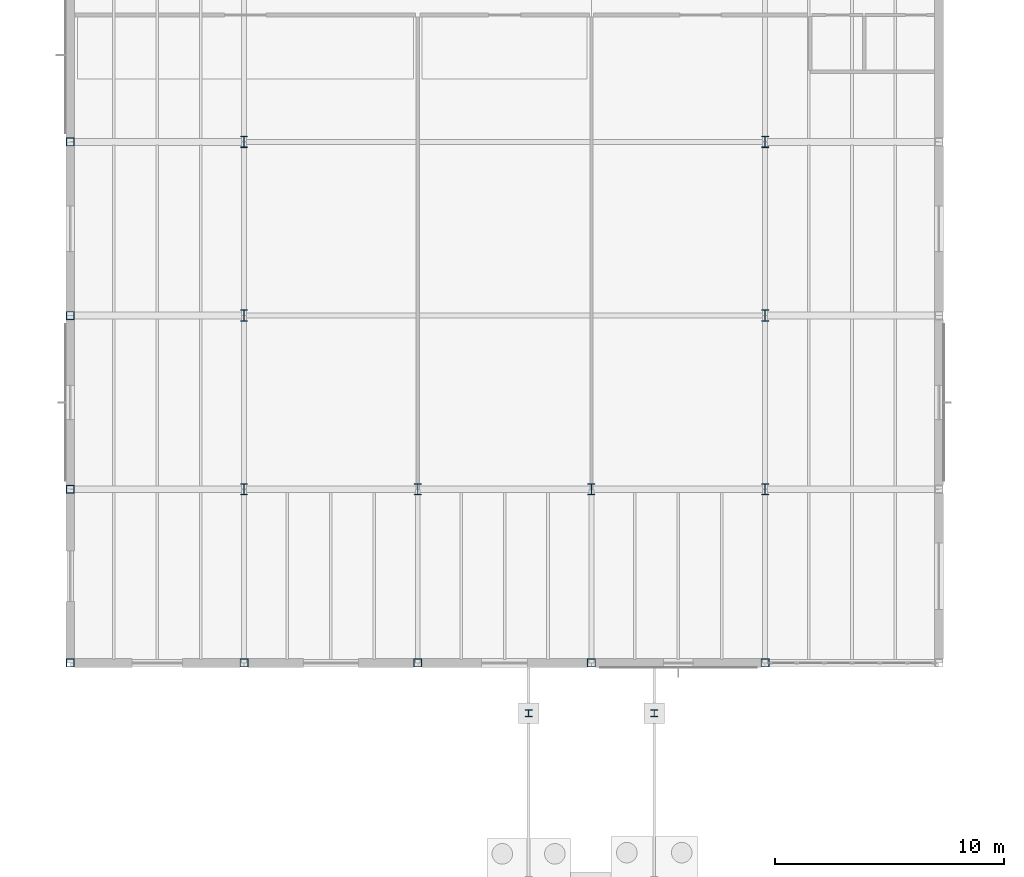
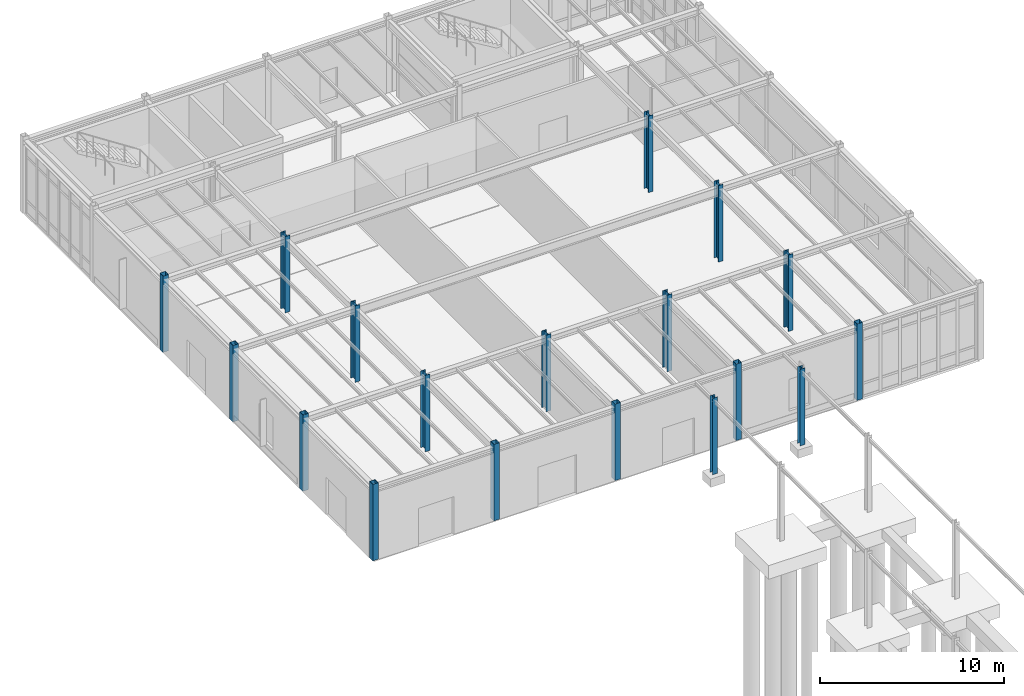
# One storey, part 13 of 109: 18 columns.
"""IFC4 building model written with IfcOpenShell, lengths in metres."""

import ifcopenshell
import ifcopenshell.guid

model = None  # the IFC model being written
_history = None  # IfcOwnerHistory: only IFC2X3 demands one
_inside = {}  # id of a spatial element -> (the spatial element, [elements in it])
_under = {}  # id of a project, library or spatial element -> (it, [spatial elements below it])
_declared = {}  # id of a project -> (the project, [libraries it declares])
_typed = {}  # id of a type object -> (the type object, [elements of that type])
_made_of = {}  # id of a material, layer set ... -> (it, [elements and type objects made of it])


def new_model(schema):
    """Start an empty IFC model of exactly this schema.

    Asked for "IFC4X3", IfcOpenShell would pick the latest addendum, in which some entities
    have other attributes; the version numbers below select the first issue.
    IFC2X3 requires an IfcOwnerHistory on every rooted entity: one is made here for all.
    """
    global model, _history
    if schema == "IFC4X3":
        model = ifcopenshell.file(schema_version=(4, 3, 0, 0))
    else:
        model = ifcopenshell.file(schema=schema)
    _inside.clear()
    _under.clear()
    _declared.clear()
    _typed.clear()
    _made_of.clear()
    _history = None
    if model.schema == "IFC2X3":
        org = make("IfcOrganization", Name="unknown")
        user = make(
            "IfcPersonAndOrganization",
            ThePerson=make("IfcPerson", FamilyName="unknown"),
            TheOrganization=org,
        )
        app = make(
            "IfcApplication",
            ApplicationDeveloper=org,
            Version="unknown",
            ApplicationFullName="unknown",
            ApplicationIdentifier="unknown",
        )
        _history = make(
            "IfcOwnerHistory",
            OwningUser=user,
            OwningApplication=app,
            ChangeAction="ADDED",
            CreationDate=0,
        )
    return model


def make(cls, **values):
    """One entity of the class cls with the attributes given. An attribute that is None is left unset."""
    return model.create_entity(
        cls, **{name: value for name, value in values.items() if value is not None}
    )


def rooted(cls, **values):
    """An entity with a GlobalId (a new one), such as an element, a storey or a relation."""
    return make(cls, GlobalId=ifcopenshell.guid.new(), OwnerHistory=_history, **values)


def si_unit(unit_type, name, prefix=None):
    """IfcSIUnit, for example si_unit("LENGTHUNIT", "METRE", prefix="MILLI")."""
    return make("IfcSIUnit", UnitType=unit_type, Prefix=prefix, Name=name)


def assignment(units):
    """IfcUnitAssignment: the units of a project."""
    return None if units is None else make("IfcUnitAssignment", Units=units)


def point(xyz):
    """IfcCartesianPoint."""
    return None if xyz is None else make("IfcCartesianPoint", Coordinates=xyz)


def direction(xyz):
    """IfcDirection."""
    return None if xyz is None else make("IfcDirection", DirectionRatios=xyz)


def frame(location, z_axis=None, x_axis=None):
    """IfcAxis2Placement3D, a coordinate frame: its origin and axes. An axis left out is left unset."""
    return make(
        "IfcAxis2Placement3D",
        Location=point(location),
        Axis=direction(z_axis),
        RefDirection=direction(x_axis),
    )


def frame_2d(location, x_axis=None):
    """IfcAxis2Placement2D, a coordinate frame in the plane: its origin and x axis."""
    return make(
        "IfcAxis2Placement2D", Location=point(location), RefDirection=direction(x_axis)
    )


def origin():
    """The frame at (0, 0, 0) with its axes left unset."""
    return frame((0.0, 0.0, 0.0))


def origin_2d():
    """The frame at (0, 0) in the plane with its x axis left unset."""
    return frame_2d((0.0, 0.0))


def place(relative_to, where):
    """IfcLocalPlacement: puts the frame where relative to a parent placement (None: the world)."""
    return make(
        "IfcLocalPlacement", PlacementRelTo=relative_to, RelativePlacement=where
    )


def context(
    kind, dimensions, precision=None, world=None, true_north=None, identifier=None
):
    """IfcGeometricRepresentationContext, for example the 3D "Model" context."""
    return make(
        "IfcGeometricRepresentationContext",
        ContextIdentifier=identifier,
        ContextType=kind,
        CoordinateSpaceDimension=dimensions,
        Precision=precision,
        WorldCoordinateSystem=world,
        TrueNorth=true_north,
    )


def subcontext(parent, identifier, kind, view, scale=None):
    """IfcGeometricRepresentationSubContext, for example "Body" below "Model"."""
    return make(
        "IfcGeometricRepresentationSubContext",
        ContextIdentifier=identifier,
        ContextType=kind,
        ParentContext=parent,
        TargetScale=scale,
        TargetView=view,
    )


def project(units=None, contexts=None):
    """IfcProject with its units and contexts."""
    return rooted(
        "IfcProject",
        Name="project",
        RepresentationContexts=contexts,
        UnitsInContext=assignment(units),
    )


def spatial(cls, under=None, at=None, **own):
    """A site, building, storey or space (cls), placed at a placement, below another one or the project."""
    s = rooted(cls, ObjectPlacement=at, **own)
    if under is not None:
        _under.setdefault(under.id(), (under, []))[1].append(s)
    return s


def profile(cls, at=None, kind="AREA", **sizes):
    """A parametric profile (cls). Its sizes go by their IFC names, for example OverallWidth=200.0."""
    return make(cls, ProfileType=kind, Position=at, **sizes)


def hollow_rectangle(**sizes):
    """IfcRectangleHollowProfileDef."""
    return profile("IfcRectangleHollowProfileDef", **sizes)


def i_section(**sizes):
    """IfcIShapeProfileDef."""
    return profile("IfcIShapeProfileDef", **sizes)


def extrude(swept, where, along, depth):
    """IfcExtrudedAreaSolid: the profile swept, set in the frame where, extruded along a direction by depth."""
    return make(
        "IfcExtrudedAreaSolid",
        SweptArea=swept,
        Position=where,
        ExtrudedDirection=direction(along),
        Depth=depth,
    )


def shape(context_of_items, identifier, shape_type, items):
    """IfcShapeRepresentation: the items that make up one representation, for example the "Body"."""
    return make(
        "IfcShapeRepresentation",
        ContextOfItems=context_of_items,
        RepresentationIdentifier=identifier,
        RepresentationType=shape_type,
        Items=items,
    )


def material(Name=None, Category=None):
    """IfcMaterial."""
    return make("IfcMaterial", Name=Name, Category=Category)


def material_profile(
    of_material, cross_section, Name=None, Category=None, Priority=None
):
    """IfcMaterialProfile: a cross section and its material."""
    return make(
        "IfcMaterialProfile",
        Name=Name,
        Material=of_material,
        Profile=cross_section,
        Priority=Priority,
        Category=Category,
    )


def profile_set(profiles, Name=None, composite=None):
    """IfcMaterialProfileSet."""
    return make(
        "IfcMaterialProfileSet",
        Name=Name,
        MaterialProfiles=profiles,
        CompositeProfile=composite,
    )


def made_of(thing, what):
    """Note that an element or type object is made of a material, layer set ...; save() writes the relation."""
    if what is not None:
        _made_of.setdefault(what.id(), (what, []))[1].append(thing)
    return thing


def type_object(cls, material=None, **own):
    """A type object (cls), such as IfcWallType, which elements share."""
    return made_of(rooted(cls, **own), material)


def element(
    cls,
    number,
    at=None,
    inside=None,
    cuts=None,
    type_object=None,
    material=None,
    context=None,
    identifier="Body",
    shape_type=None,
    held_by="IfcProductDefinitionShape",
    body=None,
    shapes=None,
    **own,
):
    """One element of the class cls, such as IfcWall. Its Tag is "e" and its number.

    at: its placement. inside: the storey or other place that contains it. cuts: it is an
    opening in that element (IfcRelVoidsElement). A single representation is given by context,
    identifier, shape_type and body (its items); several are given by shapes. held_by: the class
    of the entity that holds the representations. save() writes the other relations.
    """
    e = rooted(cls, Tag="e%d" % number, ObjectPlacement=at, **own)
    if body is not None:
        shapes = [shape(context, identifier, shape_type, body)]
    if shapes is not None:
        e.Representation = make(held_by, Representations=shapes)
    if inside is not None:
        _inside.setdefault(inside.id(), (inside, []))[1].append(e)
    if cuts is not None:
        rooted(
            "IfcRelVoidsElement", RelatingBuildingElement=cuts, RelatedOpeningElement=e
        )
    if type_object is not None:
        _typed.setdefault(type_object.id(), (type_object, []))[1].append(e)
    return made_of(e, material)


def aggregate(whole, parts):
    """IfcRelAggregates: a whole, such as a stair, and the parts it consists of."""
    return rooted("IfcRelAggregates", RelatingObject=whole, RelatedObjects=parts)


def save(model, path):
    """Write the relations noted so far, then the file.

    IfcRelAggregates (storeys below a building ...), IfcRelContainedInSpatialStructure (elements
    in a storey), IfcRelDefinesByType, IfcRelAssociatesMaterial and IfcRelDeclares: one each for
    every whole, place, type object, material and project.
    """
    for whole, parts in _under.values():
        aggregate(whole, parts)
    for where, things in _inside.values():
        rooted(
            "IfcRelContainedInSpatialStructure",
            RelatedElements=things,
            RelatingStructure=where,
        )
    for kind, things in _typed.values():
        rooted("IfcRelDefinesByType", RelatedObjects=things, RelatingType=kind)
    for what, things in _made_of.values():
        rooted("IfcRelAssociatesMaterial", RelatedObjects=things, RelatingMaterial=what)
    for by, libraries in _declared.values():
        rooted("IfcRelDeclares", RelatingContext=by, RelatedDefinitions=libraries)
    model.write(path)


model = new_model("IFC4")

# Units and contexts
model_context = context("Model", 3, precision=1e-05, world=origin(), true_north=direction((0.0, 1.0)))
body_context = subcontext(model_context, "Body", "Model", "MODEL_VIEW")
ifc_project = project(units=[si_unit("LENGTHUNIT", "METRE"), si_unit("AREAUNIT", "SQUARE_METRE"), si_unit("VOLUMEUNIT", "CUBIC_METRE"), si_unit("PLANEANGLEUNIT", "RADIAN"), si_unit("MASSUNIT", "GRAM", prefix="KILO")], contexts=[model_context])

# Site, building, storey
site_placement = place(None, origin())
site = spatial("IfcSite", under=ifc_project, at=site_placement, CompositionType="ELEMENT")
building_placement = place(site_placement, origin())
building = spatial("IfcBuilding", under=site, at=building_placement, Name="Montecoro Central Library", CompositionType="ELEMENT")
storey_placement = place(building_placement, origin())
storey = spatial("IfcBuildingStorey", under=building, at=storey_placement, Name="L00", CompositionType="ELEMENT", Elevation=0.0)

# Columns
ifc_material_1 = material(Name="Steel S355", Category="steel")
ifc_material_profile_1 = material_profile(ifc_material_1, i_section(OverallWidth=0.300048828125, OverallDepth=0.300048828125, WebThickness=0.010986328125, FlangeThickness=0.01904296875, at=origin_2d()), Name="HEB 300")
ifc_profile_set_1 = profile_set([ifc_material_profile_1], Name="Steel S355")
column_type_1 = type_object("IfcColumnType", Name="COL-HEB300", PredefinedType="COLUMN", material=ifc_profile_set_1)
for number, where, z_axis, x_axis, name in (
    (1, (25.050048828125, 71.199951171875, 0.0), (0.0, 0.0, 1.0), (1.0, 0.0, 0.0), "BR-W-L00-COL-250-712"),
    (2, (30.550048828125, 71.199951171875, 0.0), (0.0, 0.0, 1.0), (1.0, 0.0, 0.0), "BR-W-L00-COL-305-712"),
):
    element("IfcColumn", number, at=place(storey_placement, frame(where, z_axis=z_axis, x_axis=x_axis)), inside=storey, type_object=column_type_1, Name=name, PredefinedType="COLUMN", context=body_context, shape_type="SweptSolid", body=[
        extrude(i_section(OverallWidth=0.300048828125, OverallDepth=0.300048828125, WebThickness=0.010986328125, FlangeThickness=0.01904296875, at=origin_2d()), origin(), (0.0, 0.0, 1.0), 5.074951171875),
    ])
ifc_material_2 = material(Name="Steel S355J2", Category="steel")
ifc_material_profile_2 = material_profile(ifc_material_2, i_section(OverallWidth=0.300048828125, OverallDepth=0.5, WebThickness=0.014404296875, FlangeThickness=0.028076171875, at=origin_2d()), Name="HEB 500")
ifc_profile_set_2 = profile_set([ifc_material_profile_2], Name="Steel S355J2")
column_type_2 = type_object("IfcColumnType", Name="COL-HEB500", PredefinedType="COLUMN", material=ifc_profile_set_2)
for number, where, z_axis, x_axis, name in (
    (3, (12.60009765625, 81.0, 0.0), (0.0, 0.0, 1.0), (1.0, 0.0, 0.0), "V4-L00-COL-2-L"),
    (4, (12.60009765625, 88.60009765625, 0.0), (0.0, 0.0, 1.0), (1.0, 0.0, 0.0), "V4-L00-COL-2-M"),
    (5, (12.60009765625, 96.199951171875, 0.0), (0.0, 0.0, 1.0), (1.0, 0.0, 0.0), "V4-L00-COL-2-N"),
    (6, (20.199951171875, 81.0, 0.0), (0.0, 0.0, 1.0), (1.0, 0.0, 0.0), "V4-L00-COL-3-L"),
    (7, (27.800048828125, 81.0, 0.0), (0.0, 0.0, 1.0), (1.0, 0.0, 0.0), "V4-L00-COL-4-L"),
    (8, (35.39990234375, 81.0, 0.0), (0.0, 0.0, 1.0), (1.0, 0.0, 0.0), "V4-L00-COL-5-L"),
    (9, (35.39990234375, 88.60009765625, 0.0), (0.0, 0.0, 1.0), (1.0, 0.0, 0.0), "V4-L00-COL-5-M"),
    (10, (35.39990234375, 96.199951171875, 0.0), (0.0, 0.0, 1.0), (1.0, 0.0, 0.0), "V4-L00-COL-5-N"),
):
    element("IfcColumn", number, at=place(storey_placement, frame(where, z_axis=z_axis, x_axis=x_axis)), inside=storey, type_object=column_type_2, Name=name, PredefinedType="COLUMN", context=body_context, shape_type="SweptSolid", body=[
        extrude(i_section(OverallWidth=0.300048828125, OverallDepth=0.5, WebThickness=0.014404296875, FlangeThickness=0.028076171875, at=origin_2d()), origin(), (0.0, 0.0, 1.0), 5.074951171875),
    ])
ifc_material_profile_3 = material_profile(ifc_material_2, hollow_rectangle(XDim=0.35009765625, YDim=0.35009765625, WallThickness=0.01416015625, at=origin_2d()), Name="SHS 350x350x14.2")
ifc_profile_set_3 = profile_set([ifc_material_profile_3], Name="Steel S355J2")
column_type_3 = type_object("IfcColumnType", Name="COL-SHS350", PredefinedType="COLUMN", material=ifc_profile_set_3)
for number, where, z_axis, x_axis, name in (
    (11, (5.0, 73.39990234375, 0.0), (0.0, 0.0, 1.0), (1.0, 0.0, 0.0), "V4-L00-COL-1-K"),
    (12, (5.0, 81.0, 0.0), (0.0, 0.0, 1.0), (1.0, 0.0, 0.0), "V4-L00-COL-1-L"),
    (13, (5.0, 88.60009765625, 0.0), (0.0, 0.0, 1.0), (1.0, 0.0, 0.0), "V4-L00-COL-1-M"),
    (14, (5.0, 96.199951171875, 0.0), (0.0, 0.0, 1.0), (1.0, 0.0, 0.0), "V4-L00-COL-1-N"),
    (15, (12.60009765625, 73.39990234375, 0.0), (0.0, 0.0, 1.0), (1.0, 0.0, 0.0), "V4-L00-COL-2-K"),
    (16, (20.199951171875, 73.39990234375, 0.0), (0.0, 0.0, 1.0), (1.0, 0.0, 0.0), "V4-L00-COL-3-K"),
    (17, (27.800048828125, 73.39990234375, 0.0), (0.0, 0.0, 1.0), (1.0, 0.0, 0.0), "V4-L00-COL-4-K"),
    (18, (35.39990234375, 73.39990234375, 0.0), (0.0, 0.0, 1.0), (1.0, 0.0, 0.0), "V4-L00-COL-5-K"),
):
    element("IfcColumn", number, at=place(storey_placement, frame(where, z_axis=z_axis, x_axis=x_axis)), inside=storey, type_object=column_type_3, Name=name, PredefinedType="COLUMN", context=body_context, shape_type="SweptSolid", body=[
        extrude(hollow_rectangle(XDim=0.35009765625, YDim=0.35009765625, WallThickness=0.01416015625, at=origin_2d()), origin(), (0.0, 0.0, 1.0), 5.074951171875),
    ])

save(model, "model.ifc")
